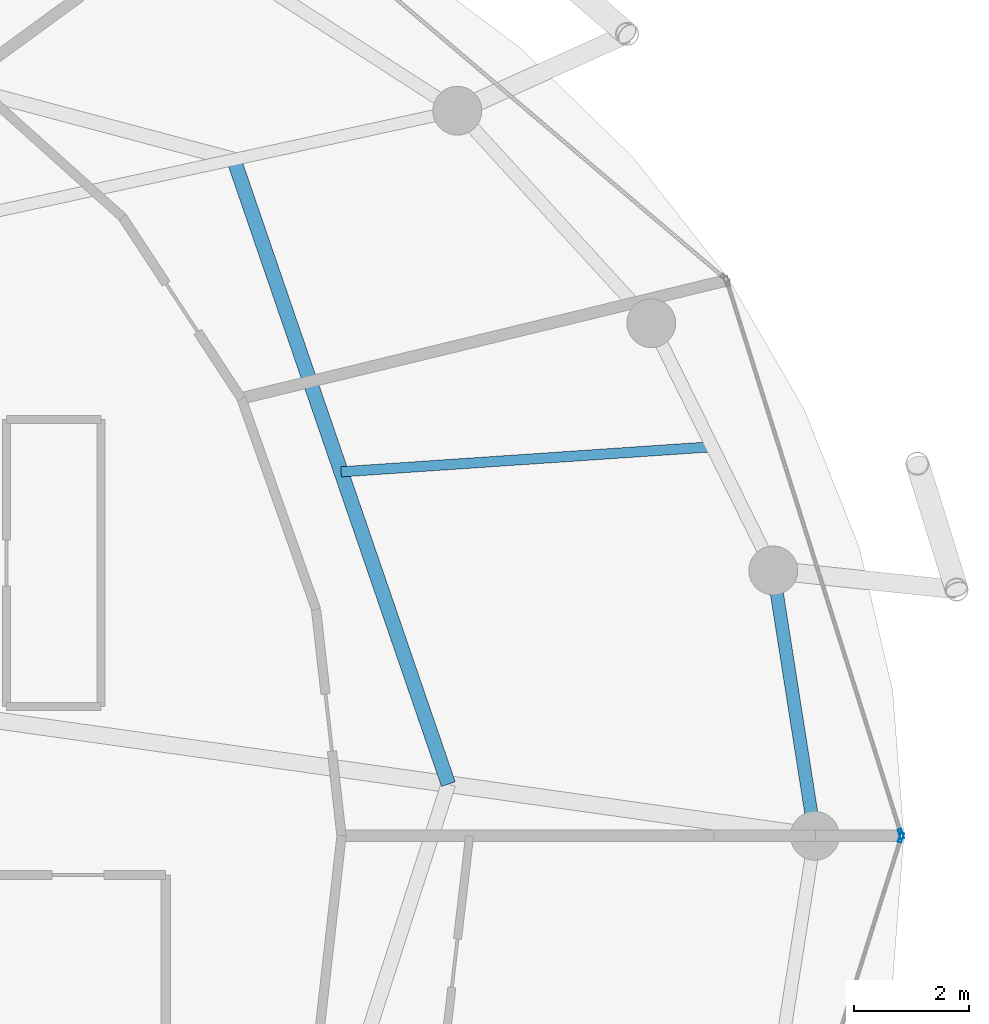
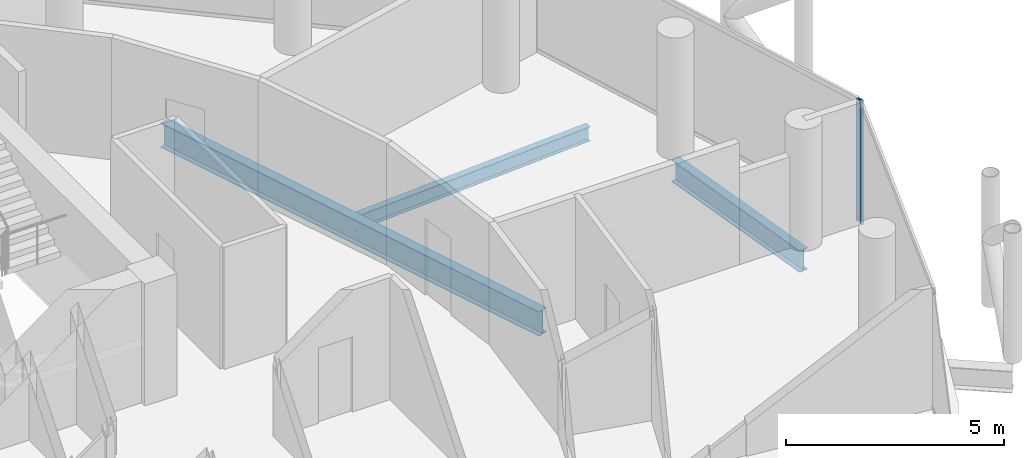
# One storey, part 15 of 27: 3 beams, 2 members, 2 elements without a shape of their own.
"""IFC4 building model written with IfcOpenShell, lengths in metres."""

from ifc_helpers import new_model, si_unit, direction, frame, origin, origin_2d, place, context, subcontext, project, spatial, hollow_rectangle, i_section, extrude, material, layer, layer_set, material_profile, profile_set, type_object, element, aggregate, save


model = new_model("IFC4")

# Units and contexts
model_context = context("Model", 3, precision=1e-05, world=origin(), true_north=direction((0.0, 1.0)))
body_context = subcontext(model_context, "Body", "Model", "MODEL_VIEW")
ifc_project = project(units=[si_unit("LENGTHUNIT", "METRE"), si_unit("AREAUNIT", "SQUARE_METRE"), si_unit("VOLUMEUNIT", "CUBIC_METRE"), si_unit("PLANEANGLEUNIT", "RADIAN"), si_unit("MASSUNIT", "GRAM", prefix="KILO")], contexts=[model_context])

# Site, building, storey
site_placement = place(None, origin())
site = spatial("IfcSite", under=ifc_project, at=site_placement, CompositionType="ELEMENT")
building_placement = place(site_placement, origin())
building = spatial("IfcBuilding", under=site, at=building_placement, Name="Nuhasar Tower", CompositionType="ELEMENT")
storey_placement = place(building_placement, frame((0.0, 0.0, 226.39990234375)))
storey = spatial("IfcBuildingStorey", under=building, at=storey_placement, Name="L55", CompositionType="ELEMENT", Elevation=226.39990234375)

# Beams
ifc_material_1 = material(Name="Steel S355", Category="steel")
ifc_material_profile_1 = material_profile(ifc_material_1, i_section(OverallWidth=0.25390625, OverallDepth=0.68408203125, WebThickness=0.012451171875, FlangeThickness=0.018798828125, at=origin_2d()), Name="W27X94")
ifc_profile_set_1 = profile_set([ifc_material_profile_1], Name="Steel S355")
beam_type_1 = type_object("IfcBeamType", Name="BM-INRING-W27X94", PredefinedType="BEAM", material=ifc_profile_set_1)
beam_1_placement = place(storey_placement, frame((53.8701171875, 27.699951171875, -0.581787109375), z_axis=(-0.324809117642, 0.945779592239, 0.0), x_axis=(-0.945779592239, -0.324809117642, 0.0)))
element("IfcBeam", 1, at=beam_1_placement, inside=storey, type_object=beam_type_1, Name="L55 Inner Header Beam 04", PredefinedType="BEAM", context=body_context, shape_type="SweptSolid", body=[
    extrude(i_section(OverallWidth=0.25390625, OverallDepth=0.68408203125, WebThickness=0.012451171875, FlangeThickness=0.018798828125, at=origin_2d()), origin(), (0.0, 0.0, 1.0), 11.496337890625),
])
ifc_material_profile_2 = material_profile(ifc_material_1, i_section(OverallWidth=0.177978515625, OverallDepth=0.406005859375, WebThickness=0.0078125, FlangeThickness=0.0126953125, at=origin_2d()), Name="W16X40")
ifc_profile_set_2 = profile_set([ifc_material_profile_2], Name="Steel S355")
beam_type_2 = type_object("IfcBeamType", Name="BM-JST-W16X40", PredefinedType="JOIST", material=ifc_profile_set_2)
beam_2_placement = place(storey_placement, frame((52.0029296875, 33.135986328125, -0.44287109375), z_axis=(0.997721156568, 0.067472170095, 0.0), x_axis=(-0.067472170095, 0.997721156568, 0.0)))
element("IfcBeam", 2, at=beam_2_placement, inside=storey, type_object=beam_type_2, Name="L55 Secondary Floor Joist 04", PredefinedType="JOIST", context=body_context, shape_type="SweptSolid", body=[
    extrude(i_section(OverallWidth=0.177978515625, OverallDepth=0.406005859375, WebThickness=0.0078125, FlangeThickness=0.0126953125, at=origin_2d()), origin(), (0.0, 0.0, 1.0), 6.476806640625),
])
ifc_material_profile_3 = material_profile(ifc_material_1, i_section(OverallWidth=0.22802734375, OverallDepth=0.60791015625, WebThickness=0.01123046875, FlangeThickness=0.017333984375, at=origin_2d()), Name="W24X76")
ifc_profile_set_3 = profile_set([ifc_material_profile_3], Name="Steel S355")
beam_type_3 = type_object("IfcBeamType", Name="BM-RING-W24X76", PredefinedType="SPANDREL", material=ifc_profile_set_3)
beam_3_placement = place(storey_placement, frame((60.25, 26.800048828125, -0.5439453125), z_axis=(-0.154849872935, 0.987938012657, 0.0), x_axis=(-0.987938012657, -0.154849872935, 0.0)))
element("IfcBeam", 3, at=beam_3_placement, inside=storey, type_object=beam_type_3, Name="L55 Perimeter Ring Spandrel 01", PredefinedType="SPANDREL", context=body_context, shape_type="SweptSolid", body=[
    extrude(i_section(OverallWidth=0.22802734375, OverallDepth=0.60791015625, WebThickness=0.01123046875, FlangeThickness=0.017333984375, at=origin_2d()), origin(), (0.0, 0.0, 1.0), 4.67626953125),
])

# Curtain wall, member
ifc_material_2 = material(Name="Aluminium 6063-T6", Category="aluminium")
ifc_layer = layer(ifc_material_2, 0.18994140625)
ifc_layer_set = layer_set([ifc_layer], Name="Aluminium 6063-T6")
curtain_wall_type = type_object("IfcCurtainWallType", Name="CW-Z3-RES", PredefinedType="NOTDEFINED", material=ifc_layer_set)
curtain_wall_1_placement = place(storey_placement, origin())
curtain_wall_1 = element("IfcCurtainWall", 4, at=curtain_wall_1_placement, inside=storey, type_object=curtain_wall_type, Name="L55 Unitised Curtain Wall 01", PredefinedType="NOTDEFINED")
ifc_material_profile_4 = material_profile(ifc_material_2, hollow_rectangle(XDim=0.06494140625, YDim=0.169921875, WallThickness=0.0048828125, at=origin_2d()), Name="CWM-4")
ifc_profile_set_4 = profile_set([ifc_material_profile_4], Name="Aluminium 6063-T6")
member_type = type_object("IfcMemberType", Name="CW-MUL-S4", PredefinedType="MULLION", material=ifc_profile_set_4)
member_1_placement = place(storey_placement, frame((61.750244140625, 26.8310546875, 0.0), z_axis=(0.0, 0.0, 1.0), x_axis=(-0.95380429279, -0.30042864553, 0.0)))
member_1 = element("IfcMember", 5, at=member_1_placement, type_object=member_type, Name="CW-Z3 mullion 1", PredefinedType="MULLION", context=body_context, shape_type="SweptSolid", body=[
    extrude(hollow_rectangle(XDim=0.06494140625, YDim=0.169921875, WallThickness=0.0048828125, at=origin_2d()), origin(), (0.0, 0.0, 1.0), 3.41015625),
])
aggregate(curtain_wall_1, [member_1])

curtain_wall_2_placement = place(storey_placement, origin())
curtain_wall_2 = element("IfcCurtainWall", 6, at=curtain_wall_2_placement, inside=storey, type_object=curtain_wall_type, Name="L55 Unitised Curtain Wall 12", PredefinedType="NOTDEFINED")
member_2_placement = place(storey_placement, frame((61.750244140625, 26.76904296875, 0.0), z_axis=(0.0, 0.0, 1.0), x_axis=(-0.95380429279, 0.30042864553, 0.0)))
member_2 = element("IfcMember", 7, at=member_2_placement, type_object=member_type, Name="CW-Z3 mullion 2", PredefinedType="MULLION", context=body_context, shape_type="SweptSolid", body=[
    extrude(hollow_rectangle(XDim=0.06494140625, YDim=0.169921875, WallThickness=0.0048828125, at=origin_2d()), origin(), (0.0, 0.0, 1.0), 3.41015625),
])
aggregate(curtain_wall_2, [member_2])

save(model, "model.ifc")
